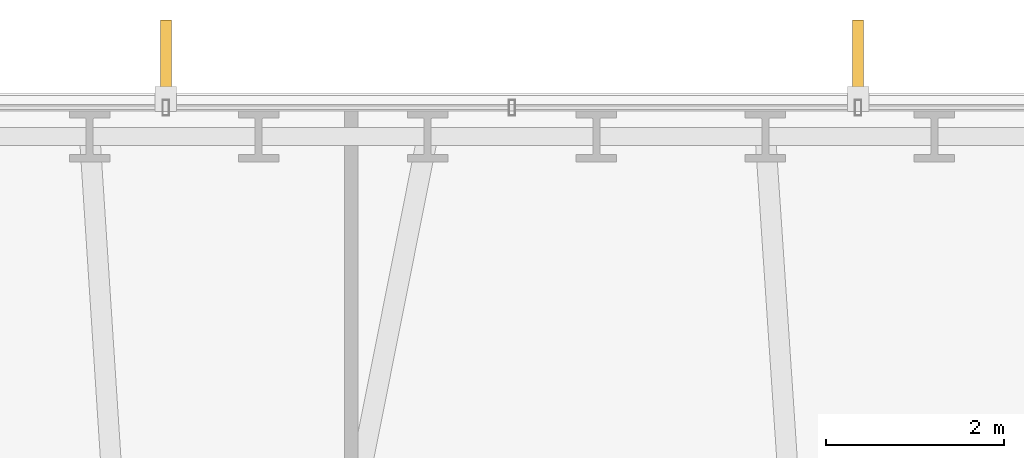
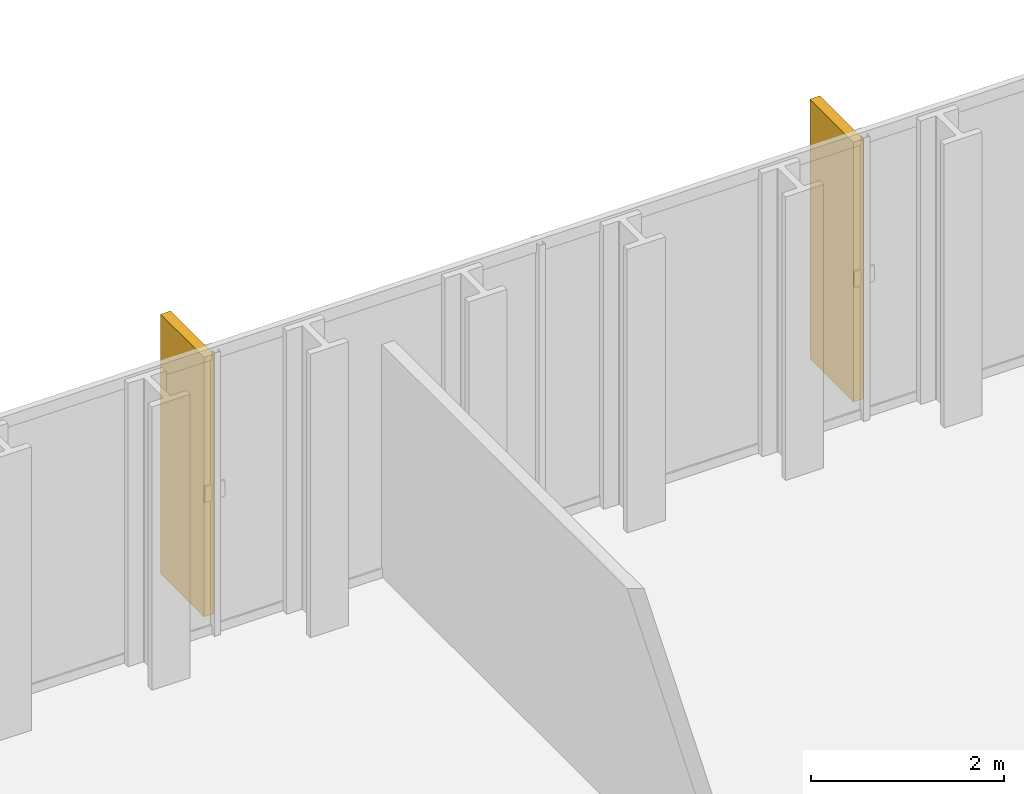
# One storey, part 32 of 32: 2 shading devices.
"""IFC4 building model written with IfcOpenShell, lengths in metres."""

from ifc_helpers import new_model, si_unit, direction, frame, origin, origin_2d, place, context, subcontext, project, spatial, rectangle, extrude, material, type_object, element, save


model = new_model("IFC4")

# Units and contexts
model_context = context("Model", 3, precision=1e-05, world=origin(), true_north=direction((0.0, 1.0)))
body_context = subcontext(model_context, "Body", "Model", "MODEL_VIEW")
ifc_project = project(units=[si_unit("LENGTHUNIT", "METRE"), si_unit("AREAUNIT", "SQUARE_METRE"), si_unit("VOLUMEUNIT", "CUBIC_METRE"), si_unit("PLANEANGLEUNIT", "RADIAN"), si_unit("MASSUNIT", "GRAM", prefix="KILO")], contexts=[model_context])

# Site, building, storey
site_placement = place(None, origin())
site = spatial("IfcSite", under=ifc_project, at=site_placement, CompositionType="ELEMENT")
building_placement = place(site_placement, origin())
building = spatial("IfcBuilding", under=site, at=building_placement, Name="Ndaravel Arena Tower", CompositionType="ELEMENT")
storey_placement = place(building_placement, frame((0.0, 0.0, 58.800048828125)))
storey = spatial("IfcBuildingStorey", under=building, at=storey_placement, Name="L12", CompositionType="ELEMENT", Elevation=58.800048828125)

# Shading devices
ifc_material = material(Name="Masonry", Category="masonry")
shading_device_type = type_object("IfcShadingDeviceType", Name="SHD-MAZERAS-FIN", PredefinedType="SHUTTER", material=ifc_material)
for number, where, z_axis, x_axis, name in (
    (1, (45.878173828125, 46.3818359375, 0.14990234375), (0.0, 0.0, 1.0), (0.0, 1.0, 0.0), "L12 Mazeras Stone Solar Fin E4.1"),
    (2, (38.121826171875, 46.3818359375, 0.14990234375), (0.0, 0.0, 1.0), (0.0, 1.0, 0.0), "L12 Mazeras Stone Solar Fin E4.2"),
):
    element("IfcShadingDevice", number, at=place(storey_placement, frame(where, z_axis=z_axis, x_axis=x_axis)), inside=storey, type_object=shading_device_type, Name=name, PredefinedType="SHUTTER", context=body_context, shape_type="SweptSolid", body=[
        extrude(rectangle(XDim=0.89990234375, YDim=0.1201171875, at=origin_2d()), origin(), (0.0, 0.0, 1.0), 3.280029296875),
    ])

save(model, "model.ifc")
